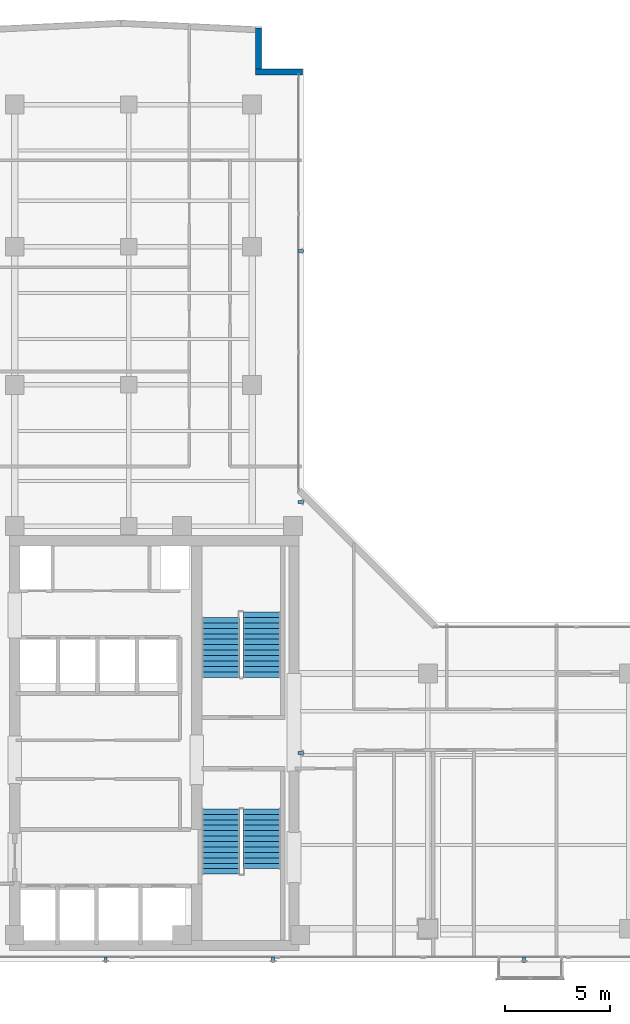
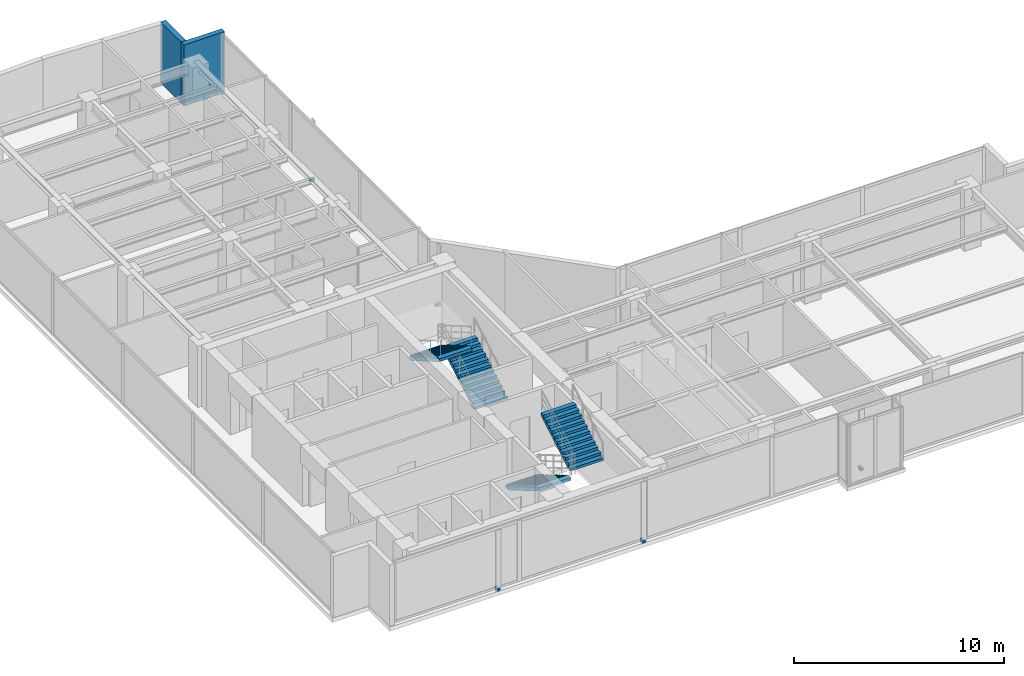
# One storey, part 19 of 22: 6 discrete accessories, 4 stair flights, 2 walls, 2 elements without a shape of their own.
"""IFC4 building model written with IfcOpenShell, lengths in metres."""

from ifc_helpers import new_model, si_unit, direction, frame, frame_2d, origin, origin_with_axes, origin_2d, place, context, subcontext, project, spatial, polyline, rectangle, outline, extrude, source, transform, mapped, material, layer, layer_set, type_object, element, aggregate, save


model = new_model("IFC4")

# Units and contexts
model_context = context("Model", 3, precision=1e-05, world=origin(), true_north=direction((0.0, 1.0)))
body_context = subcontext(model_context, "Body", "Model", "MODEL_VIEW")
ifc_project = project(units=[si_unit("LENGTHUNIT", "METRE"), si_unit("AREAUNIT", "SQUARE_METRE"), si_unit("VOLUMEUNIT", "CUBIC_METRE"), si_unit("PLANEANGLEUNIT", "RADIAN"), si_unit("MASSUNIT", "GRAM", prefix="KILO")], contexts=[model_context])

# Site, building, storey
site_placement = place(None, origin())
site = spatial("IfcSite", under=ifc_project, at=site_placement, CompositionType="ELEMENT")
building_placement = place(site_placement, origin())
building = spatial("IfcBuilding", under=site, at=building_placement, Name="Kolvaren Waterfront Exchange", CompositionType="ELEMENT")
storey_placement = place(building_placement, frame((0.0, 0.0, 312.199951171875)))
storey = spatial("IfcBuildingStorey", under=building, at=storey_placement, Name="L80", CompositionType="ELEMENT", Elevation=312.199951171875)

# Walls
ifc_material_1 = material(Name="Precast concrete C40/50", Category="concrete")
ifc_layer = layer(ifc_material_1, 0.280029296875, Name="Precast concrete C40/50")
ifc_layer_set = layer_set([ifc_layer], Name="Precast concrete C40/50")
wall_type = type_object("IfcWallType", Name="ARC-EXT-TERR-280", PredefinedType="SOLIDWALL", material=ifc_layer_set)
wall_1_placement = place(storey_placement, frame((18.963134765625, 46.1611328125, 0.0), z_axis=(0.0, 0.0, 1.0), x_axis=(1.0, 0.0, 0.0)))
element("IfcWall", 1, at=wall_1_placement, inside=storey, type_object=wall_type, Name="L80 notched corner spandrel pier NNE-A", PredefinedType="SOLIDWALL", context=body_context, shape_type="SweptSolid", body=[
    extrude(rectangle(XDim=2.239990234375, YDim=0.280029296875, at=frame_2d((1.1201171875, 0.0))), origin(), (0.0, 0.0, 1.0), 3.56005859375),
])
wall_2_placement = place(storey_placement, frame((19.103271484375, 46.301025390625, 0.0), z_axis=(0.0, 0.0, 1.0), x_axis=(0.0, 1.0, 0.0)))
element("IfcWall", 2, at=wall_2_placement, inside=storey, type_object=wall_type, Name="L80 notched corner spandrel pier NNE-B", PredefinedType="SOLIDWALL", context=body_context, shape_type="SweptSolid", body=[
    extrude(rectangle(XDim=1.9599609375, YDim=0.280029296875, at=frame_2d((0.97998046875, 0.0))), origin(), (0.0, 0.0, 1.0), 3.56005859375),
])

# Stair, stair flights
ifc_material_2 = material(Name="Concrete C40/50", Category="concrete")
stair_type = type_object("IfcStairType", Name="ARC-STAIR-3800", PredefinedType="HALF_TURN_STAIR", material=ifc_material_2)
stair_1_placement = place(storey_placement, origin())
stair_1 = element("IfcStair", 3, at=stair_1_placement, inside=storey, type_object=stair_type, Name="L80 Smoke-proof exit stair ST1", PredefinedType="HALF_TURN_STAIR")
stair_flight_type = type_object("IfcStairFlightType", Name="ARC-FLIGHT-3800", PredefinedType="STRAIGHT", material=ifc_material_2)
stair_flight_1_placement = place(storey_placement, frame((17.300048828125, 10.929931640625, 0.0), z_axis=(0.0, 0.0, 1.0), x_axis=(0.0, -1.0, 0.0)))
stair_flight_1 = element("IfcStairFlight", 4, at=stair_flight_1_placement, type_object=stair_flight_type, Name="ST1 flight 1", NumberOfRisers=13, NumberOfTreads=12, PredefinedType="STRAIGHT", RiserHeight=0.152, TreadLength=0.26, context=body_context, shape_type="SweptSolid", body=[
    extrude(outline(polyline([(0.0, 0.0), (0.0, 0.152099609375), (0.260009765625, 0.152099609375), (0.260009765625, 0.303955078125), (0.52001953125, 0.303955078125), (0.52001953125, 0.4560546875), (0.780029296875, 0.4560546875), (0.780029296875, 0.60791015625), (1.0400390625, 0.60791015625), (1.0400390625, 0.760009765625), (1.300048828125, 0.760009765625), (1.300048828125, 0.912109375), (1.56005859375, 0.912109375), (1.56005859375, 1.06396484375), (1.820068359375, 1.06396484375), (1.820068359375, 1.216064453125), (2.080078125, 1.216064453125), (2.080078125, 1.367919921875), (2.340087890625, 1.367919921875), (2.340087890625, 1.52001953125), (2.60009765625, 1.52001953125), (2.60009765625, 1.672119140625), (2.860107421875, 1.672119140625), (2.860107421875, 1.823974609375), (3.1201171875, 1.823974609375), (3.1201171875, 1.97607421875), (3.1201171875, 1.650390625), (0.297119140625, 0.0), (0.0, 0.0)])), frame((0.0, 0.89990234375, 0.0), z_axis=(0.0, -1.0, 0.0), x_axis=(1.0, 0.0, 0.0)), (0.0, 0.0, 1.0), 1.800048828125),
])
stair_flight_2_placement = place(storey_placement, frame((19.260009765625, 8.070068359375, 1.97607421875), z_axis=(0.0, 0.0, 1.0), x_axis=(0.0, 1.0, 0.0)))
stair_flight_2 = element("IfcStairFlight", 5, at=stair_flight_2_placement, type_object=stair_flight_type, Name="ST1 flight 2", NumberOfRisers=12, NumberOfTreads=11, PredefinedType="STRAIGHT", RiserHeight=0.152, TreadLength=0.26, context=body_context, shape_type="SweptSolid", body=[
    extrude(outline(polyline([(0.0, 0.0), (0.0, 0.152099609375), (0.260009765625, 0.152099609375), (0.260009765625, 0.303955078125), (0.52001953125, 0.303955078125), (0.52001953125, 0.4560546875), (0.780029296875, 0.4560546875), (0.780029296875, 0.60791015625), (1.0400390625, 0.60791015625), (1.0400390625, 0.760009765625), (1.300048828125, 0.760009765625), (1.300048828125, 0.912109375), (1.56005859375, 0.912109375), (1.56005859375, 1.06396484375), (1.820068359375, 1.06396484375), (1.820068359375, 1.216064453125), (2.080078125, 1.216064453125), (2.080078125, 1.367919921875), (2.340087890625, 1.367919921875), (2.340087890625, 1.52001953125), (2.60009765625, 1.52001953125), (2.60009765625, 1.672119140625), (2.860107421875, 1.672119140625), (2.860107421875, 1.823974609375), (2.860107421875, 1.498291015625), (0.297119140625, 0.0), (0.0, 0.0)])), frame((0.0, 0.89990234375, 0.0), z_axis=(0.0, -1.0, 0.0), x_axis=(1.0, 0.0, 0.0)), (0.0, 0.0, 1.0), 1.800048828125),
])
aggregate(stair_1, [stair_flight_1, stair_flight_2])

stair_2_placement = place(storey_placement, origin())
stair_2 = element("IfcStair", 6, at=stair_2_placement, inside=storey, type_object=stair_type, Name="L80 Smoke-proof exit stair ST2", PredefinedType="HALF_TURN_STAIR")
stair_flight_3_placement = place(storey_placement, frame((19.260009765625, 17.219970703125, 0.0), z_axis=(0.0, 0.0, 1.0), x_axis=(0.0, 1.0, 0.0)))
stair_flight_3 = element("IfcStairFlight", 7, at=stair_flight_3_placement, type_object=stair_flight_type, Name="ST2 flight 1", NumberOfRisers=13, NumberOfTreads=12, PredefinedType="STRAIGHT", RiserHeight=0.152, TreadLength=0.26, context=body_context, shape_type="SweptSolid", body=[
    extrude(outline(polyline([(0.0, 0.0), (0.0, 0.152099609375), (0.260009765625, 0.152099609375), (0.260009765625, 0.303955078125), (0.52001953125, 0.303955078125), (0.52001953125, 0.4560546875), (0.780029296875, 0.4560546875), (0.780029296875, 0.60791015625), (1.0400390625, 0.60791015625), (1.0400390625, 0.760009765625), (1.300048828125, 0.760009765625), (1.300048828125, 0.912109375), (1.56005859375, 0.912109375), (1.56005859375, 1.06396484375), (1.820068359375, 1.06396484375), (1.820068359375, 1.216064453125), (2.080078125, 1.216064453125), (2.080078125, 1.367919921875), (2.340087890625, 1.367919921875), (2.340087890625, 1.52001953125), (2.60009765625, 1.52001953125), (2.60009765625, 1.672119140625), (2.860107421875, 1.672119140625), (2.860107421875, 1.823974609375), (3.1201171875, 1.823974609375), (3.1201171875, 1.97607421875), (3.1201171875, 1.650390625), (0.297119140625, 0.0), (0.0, 0.0)])), frame((0.0, 0.89990234375, 0.0), z_axis=(0.0, -1.0, 0.0), x_axis=(1.0, 0.0, 0.0)), (0.0, 0.0, 1.0), 1.800048828125),
])
stair_flight_4_placement = place(storey_placement, frame((17.300048828125, 20.080078125, 1.97607421875), z_axis=(0.0, 0.0, 1.0), x_axis=(0.0, -1.0, 0.0)))
stair_flight_4 = element("IfcStairFlight", 8, at=stair_flight_4_placement, type_object=stair_flight_type, Name="ST2 flight 2", NumberOfRisers=12, NumberOfTreads=11, PredefinedType="STRAIGHT", RiserHeight=0.152, TreadLength=0.26, context=body_context, shape_type="SweptSolid", body=[
    extrude(outline(polyline([(0.0, 0.0), (0.0, 0.152099609375), (0.260009765625, 0.152099609375), (0.260009765625, 0.303955078125), (0.52001953125, 0.303955078125), (0.52001953125, 0.4560546875), (0.780029296875, 0.4560546875), (0.780029296875, 0.60791015625), (1.0400390625, 0.60791015625), (1.0400390625, 0.760009765625), (1.300048828125, 0.760009765625), (1.300048828125, 0.912109375), (1.56005859375, 0.912109375), (1.56005859375, 1.06396484375), (1.820068359375, 1.06396484375), (1.820068359375, 1.216064453125), (2.080078125, 1.216064453125), (2.080078125, 1.367919921875), (2.340087890625, 1.367919921875), (2.340087890625, 1.52001953125), (2.60009765625, 1.52001953125), (2.60009765625, 1.672119140625), (2.860107421875, 1.672119140625), (2.860107421875, 1.823974609375), (2.860107421875, 1.498291015625), (0.297119140625, 0.0), (0.0, 0.0)])), frame((0.0, 0.89990234375, 0.0), z_axis=(0.0, -1.0, 0.0), x_axis=(1.0, 0.0, 0.0)), (0.0, 0.0, 1.0), 1.800048828125),
])
aggregate(stair_2, [stair_flight_3, stair_flight_4])

# Discrete accessories
ifc_material_3 = material(Name="Stainless steel 316", Category="steel")
discrete_accessory_type = type_object("IfcDiscreteAccessoryType", Name="ARC-BRK-FIN", PredefinedType="BRACKET", material=ifc_material_3)
shared_shape = source(origin_with_axes(), body_context, "Body", "SweptSolid", [
    extrude(rectangle(XDim=0.280029296875, YDim=0.139892578125, at=origin_2d()), origin(), (0.0, 0.0, 1.0), 0.159912109375),
])
for number, where, z_axis, x_axis, name in (
    (9, (11.800048828125, 3.719970703125, 0.0), (0.0, 0.0, 1.0), (0.0, -1.0, 0.0), "L80 bronze fin anchor bracket FIN-L80-S1"),
    (10, (19.800048828125, 3.719970703125, 0.0), (0.0, 0.0, 1.0), (0.0, -1.0, 0.0), "L80 bronze fin anchor bracket FIN-L80-S2"),
    (11, (31.800048828125, 3.719970703125, 0.0), (0.0, 0.0, 1.0), (0.0, -1.0, 0.0), "L80 bronze fin anchor bracket FIN-L80-S3"),
    (12, (21.143310546875, 13.60009765625, 0.0), (0.0, 0.0, 1.0), (1.0, 0.0, 0.0), "L80 bronze fin anchor bracket FIN-L80-E1"),
    (13, (21.143310546875, 25.60009765625, 0.0), (0.0, 0.0, 1.0), (1.0, 0.0, 0.0), "L80 bronze fin anchor bracket FIN-L80-E2"),
    (14, (21.143310546875, 37.60009765625, 0.0), (0.0, 0.0, 1.0), (1.0, 0.0, 0.0), "L80 bronze fin anchor bracket FIN-L80-E3"),
):
    element("IfcDiscreteAccessory", number, at=place(storey_placement, frame(where, z_axis=z_axis, x_axis=x_axis)), inside=storey, type_object=discrete_accessory_type, Name=name, PredefinedType="BRACKET", context=body_context, shape_type="MappedRepresentation", body=[
        mapped(shared_shape, transform((0.0, 0.0, 0.0), x_axis=(1.0, 0.0, 0.0), y_axis=(0.0, 1.0, 0.0), z_axis=(0.0, 0.0, 1.0), scale=1.0)),
    ])

save(model, "model.ifc")
